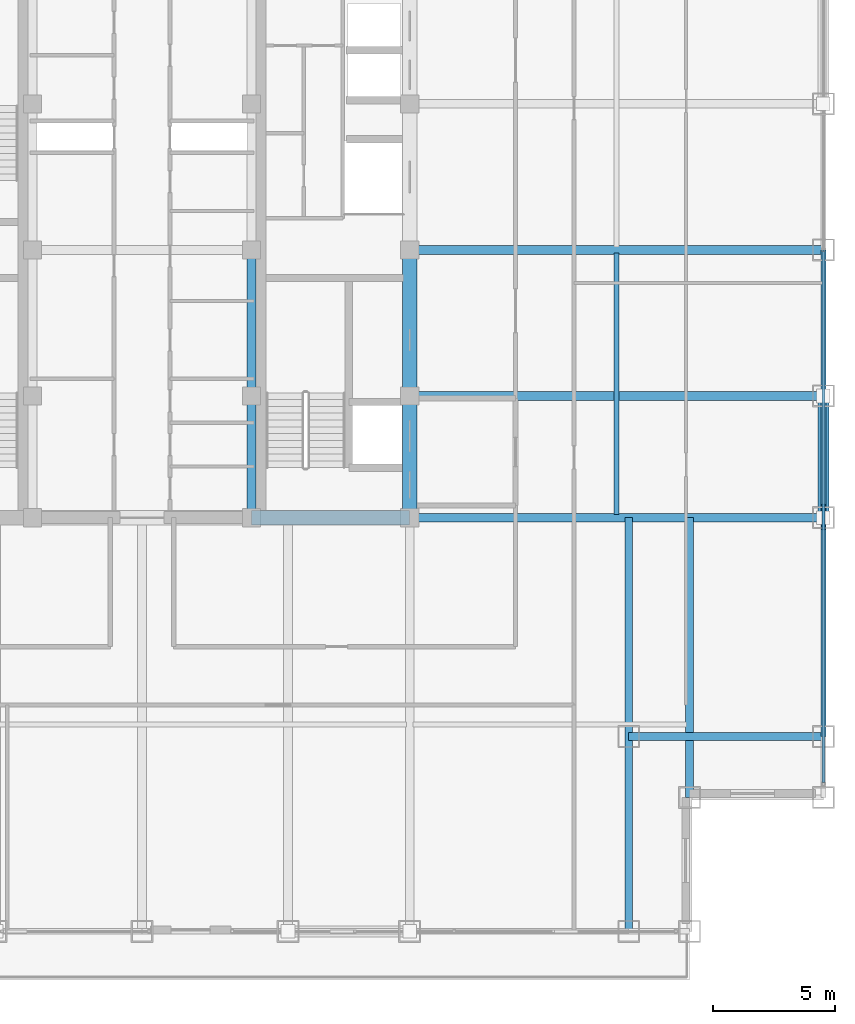
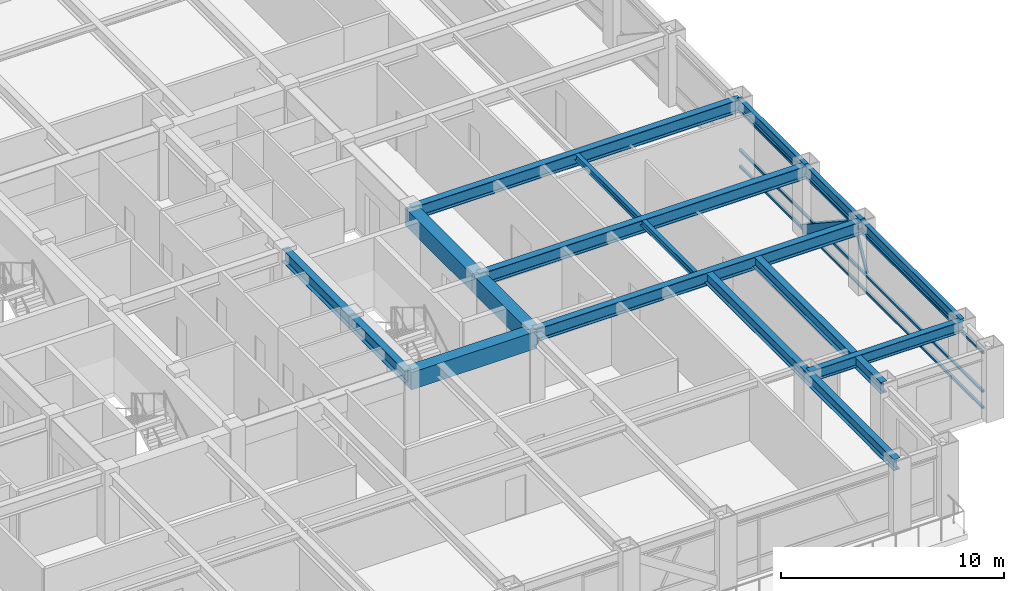
# One storey, part 12 of 32: 15 beams, 5 members, 1 element without a shape of its own.
"""IFC4 building model written with IfcOpenShell, lengths in metres."""

from ifc_helpers import new_model, si_unit, direction, frame, origin, origin_2d, place, context, subcontext, project, spatial, rectangle, hollow_rectangle, i_section, extrude, source, transform, mapped, material, material_profile, profile_set, type_object, element, aggregate, save


model = new_model("IFC4")

# Units and contexts
model_context = context("Model", 3, precision=1e-05, world=origin(), true_north=direction((0.0, 1.0)))
body_context = subcontext(model_context, "Body", "Model", "MODEL_VIEW")
ifc_project = project(units=[si_unit("LENGTHUNIT", "METRE"), si_unit("AREAUNIT", "SQUARE_METRE"), si_unit("VOLUMEUNIT", "CUBIC_METRE"), si_unit("PLANEANGLEUNIT", "RADIAN"), si_unit("MASSUNIT", "GRAM", prefix="KILO")], contexts=[model_context])

# Site, building, storey
site_placement = place(None, origin())
site = spatial("IfcSite", under=ifc_project, at=site_placement, CompositionType="ELEMENT")
building_placement = place(site_placement, origin())
building = spatial("IfcBuilding", under=site, at=building_placement, Name="Khorayat Bourse Tower", CompositionType="ELEMENT")
storey_placement = place(building_placement, frame((0.0, 0.0, 273.5)))
storey = spatial("IfcBuildingStorey", under=building, at=storey_placement, Name="L64", CompositionType="ELEMENT", Elevation=273.5)

# Beams
ifc_material_1 = material(Name="Steel ASTM A992 Grade 50", Category="steel")
ifc_material_profile_1 = material_profile(ifc_material_1, i_section(OverallWidth=0.35498046875, OverallDepth=0.695068359375, WebThickness=0.015380859375, FlangeThickness=0.02490234375, FilletRadius=0.01806640625, at=origin_2d()), Name="W690X217")
ifc_profile_set_1 = profile_set([ifc_material_profile_1], Name="Steel ASTM A992 Grade 50")
beam_type_1 = type_object("IfcBeamType", Name="BM-GIRD-690", PredefinedType="BEAM", material=ifc_profile_set_1)
shared_shape_1 = source(origin(), body_context, "Body", "SweptSolid", [
    extrude(i_section(OverallWidth=0.35498046875, OverallDepth=0.695068359375, WebThickness=0.015380859375, FlangeThickness=0.02490234375, FilletRadius=0.01806640625, at=origin_2d()), origin(), (0.0, 0.0, 1.0), 5.0),
])
beam_1_placement = place(storey_placement, frame((4.5, -11.0, 3.4326171875), z_axis=(0.0, 1.0, 0.0), x_axis=(-1.0, 0.0, 0.0)))
element("IfcBeam", 1, at=beam_1_placement, inside=storey, type_object=beam_type_1, Name="L64 BM-GIRD-690 BM-L64-CRX-09", PredefinedType="BEAM", context=body_context, shape_type="MappedRepresentation", body=[
    mapped(shared_shape_1, transform((0.0, 0.0, 0.0), scale=1.0)),
])
shared_shape_2 = source(origin(), body_context, "Body", "SweptSolid", [
    extrude(i_section(OverallWidth=0.35498046875, OverallDepth=0.695068359375, WebThickness=0.015380859375, FlangeThickness=0.02490234375, FilletRadius=0.01806640625, at=origin_2d()), origin(), (0.0, 0.0, 1.0), 6.0),
])
beam_2_placement = place(storey_placement, frame((4.5, -6.0, 3.4326171875), z_axis=(0.0, 1.0, 0.0), x_axis=(-1.0, 0.0, 0.0)))
element("IfcBeam", 2, at=beam_2_placement, inside=storey, type_object=beam_type_1, Name="L64 BM-GIRD-690 BM-L64-CRX-10", PredefinedType="BEAM", context=body_context, shape_type="MappedRepresentation", body=[
    mapped(shared_shape_2, transform((0.0, 0.0, 0.0), scale=1.0)),
])
ifc_material_profile_2 = material_profile(ifc_material_1, i_section(OverallWidth=0.324951171875, OverallDepth=0.615966796875, WebThickness=0.013916015625, FlangeThickness=0.021484375, FilletRadius=0.01611328125, at=origin_2d()), Name="W610X174")
ifc_profile_set_2 = profile_set([ifc_material_profile_2], Name="Steel ASTM A992 Grade 50")
beam_type_2 = type_object("IfcBeamType", Name="BM-GIRD-610", PredefinedType="BEAM", material=ifc_profile_set_2)
shared_shape_3 = source(origin(), body_context, "Body", "SweptSolid", [
    extrude(i_section(OverallWidth=0.324951171875, OverallDepth=0.615966796875, WebThickness=0.013916015625, FlangeThickness=0.021484375, FilletRadius=0.01611328125, at=origin_2d()), origin(), (0.0, 0.0, 1.0), 17.0),
])
beam_3_placement = place(storey_placement, frame((20.0, -28.0, 3.471923828125), z_axis=(0.0, 1.0, 0.0), x_axis=(-1.0, 0.0, 0.0)))
element("IfcBeam", 3, at=beam_3_placement, inside=storey, type_object=beam_type_2, Name="L64 BM-GIRD-610 BM-L64-CNRY-086", PredefinedType="BEAM", context=body_context, shape_type="MappedRepresentation", body=[
    mapped(shared_shape_3, transform((0.0, 0.0, 0.0), scale=1.0)),
])
ifc_material_2 = material(Name="Concrete C60/75", Category="concrete")
ifc_material_profile_3 = material_profile(ifc_material_2, rectangle(XDim=0.60009765625, YDim=0.949951171875, at=origin_2d()), Name="RC 600x950")
ifc_profile_set_3 = profile_set([ifc_material_profile_3], Name="Concrete C60/75")
beam_type_3 = type_object("IfcBeamType", Name="BM-COUP-950", PredefinedType="BEAM", material=ifc_profile_set_3)
shared_shape_4 = source(origin(), body_context, "Body", "SweptSolid", [
    extrude(rectangle(XDim=0.60009765625, YDim=0.949951171875, at=origin_2d()), origin(), (0.0, 0.0, 1.0), 5.0),
])
beam_4_placement = place(storey_placement, frame((11.0, -11.0, 3.304931640625), z_axis=(0.0, 1.0, 0.0), x_axis=(-1.0, 0.0, 0.0)))
element("IfcBeam", 4, at=beam_4_placement, inside=storey, type_object=beam_type_3, Name="L64 BM-COUP-950 BM-L64-CRX-13", PredefinedType="BEAM", context=body_context, shape_type="MappedRepresentation", body=[
    mapped(shared_shape_4, transform((0.0, 0.0, 0.0), scale=1.0)),
])
shared_shape_5 = source(origin(), body_context, "Body", "SweptSolid", [
    extrude(rectangle(XDim=0.60009765625, YDim=0.949951171875, at=origin_2d()), origin(), (0.0, 0.0, 1.0), 6.0),
])
beam_5_placement = place(storey_placement, frame((11.0, -6.0, 3.304931640625), z_axis=(0.0, 1.0, 0.0), x_axis=(-1.0, 0.0, 0.0)))
element("IfcBeam", 5, at=beam_5_placement, inside=storey, type_object=beam_type_3, Name="L64 BM-COUP-950 BM-L64-CRX-14", PredefinedType="BEAM", context=body_context, shape_type="MappedRepresentation", body=[
    mapped(shared_shape_5, transform((0.0, 0.0, 0.0), scale=1.0)),
])
shared_shape_6 = source(origin(), body_context, "Body", "SweptSolid", [
    extrude(rectangle(XDim=0.60009765625, YDim=0.949951171875, at=origin_2d()), origin(), (0.0, 0.0, 1.0), 6.5),
])
beam_6_placement = place(storey_placement, frame((4.5, -11.0, 3.304931640625), z_axis=(1.0, 0.0, 0.0), x_axis=(0.0, 1.0, 0.0)))
element("IfcBeam", 6, at=beam_6_placement, inside=storey, type_object=beam_type_3, Name="L64 BM-COUP-950 BM-L64-CRY-19", PredefinedType="BEAM", context=body_context, shape_type="MappedRepresentation", body=[
    mapped(shared_shape_6, transform((0.0, 0.0, 0.0), scale=1.0)),
])

# Member
ifc_material_3 = material(Name="Steel EN 10025-4 S460M", Category="steel")
ifc_material_profile_4 = material_profile(ifc_material_3, hollow_rectangle(XDim=0.449951171875, YDim=0.449951171875, WallThickness=0.02490234375, at=origin_2d()), Name="HSS 450x450x25")
ifc_profile_set_4 = profile_set([ifc_material_profile_4], Name="Steel EN 10025-4 S460M")
member_type_1 = type_object("IfcMemberType", Name="MBR-TUBE-450", PredefinedType="BRACE", material=ifc_profile_set_4)
shared_shape_7 = source(origin(), body_context, "Body", "SweptSolid", [
    extrude(hollow_rectangle(XDim=0.449951171875, YDim=0.449951171875, WallThickness=0.02490234375, at=origin_2d()), origin(), (0.0, 0.0, 1.0), 5.979736328125),
])
member_1_placement = place(storey_placement, frame((28.0, -11.0, 3.530029296875), z_axis=(0.0, 0.836141536525, -0.548513747227), x_axis=(-1.0, 0.0, 0.0)))
element("IfcMember", 7, at=member_1_placement, inside=storey, type_object=member_type_1, Name="L64 Perimeter Tube Brace 07", PredefinedType="BRACE", context=body_context, shape_type="MappedRepresentation", body=[
    mapped(shared_shape_7, transform((0.0, 0.0, 0.0), scale=1.0)),
])

# Beams
shared_shape_8 = source(origin(), body_context, "Body", "SweptSolid", [
    extrude(i_section(OverallWidth=0.35498046875, OverallDepth=0.695068359375, WebThickness=0.015380859375, FlangeThickness=0.02490234375, FilletRadius=0.01806640625, at=origin_2d()), origin(), (0.0, 0.0, 1.0), 17.0),
])
for number, where, z_axis, x_axis, name in (
    (8, (11.0, -11.0, 3.4326171875), (1.0, 0.0, 0.0), (0.0, 1.0, 0.0), "L64 BM-GIRD-690 BM-L64-RADX-074"),
    (9, (11.0, -6.0, 3.4326171875), (1.0, 0.0, 0.0), (0.0, 1.0, 0.0), "L64 BM-GIRD-690 BM-L64-RADX-076"),
    (10, (11.0, 0.0, 3.4326171875), (1.0, 0.0, 0.0), (0.0, 1.0, 0.0), "L64 BM-GIRD-690 BM-L64-RADX-078"),
):
    element("IfcBeam", number, at=place(storey_placement, frame(where, z_axis=z_axis, x_axis=x_axis)), inside=storey, type_object=beam_type_1, Name=name, PredefinedType="BEAM", context=body_context, shape_type="MappedRepresentation", body=[
        mapped(shared_shape_8, transform((0.0, 0.0, 0.0), scale=1.0)),
    ])
shared_shape_9 = source(origin(), body_context, "Body", "SweptSolid", [
    extrude(i_section(OverallWidth=0.324951171875, OverallDepth=0.615966796875, WebThickness=0.013916015625, FlangeThickness=0.021484375, FilletRadius=0.01611328125, at=origin_2d()), origin(), (0.0, 0.0, 1.0), 11.5),
])
beam_7_placement = place(storey_placement, frame((22.5, -22.5, 3.471923828125), z_axis=(0.0, 1.0, 0.0), x_axis=(-1.0, 0.0, 0.0)))
element("IfcBeam", 11, at=beam_7_placement, inside=storey, type_object=beam_type_2, Name="L64 BM-GIRD-610 BM-L64-CNRY-090", PredefinedType="BEAM", context=body_context, shape_type="MappedRepresentation", body=[
    mapped(shared_shape_9, transform((0.0, 0.0, 0.0), scale=1.0)),
])
shared_shape_10 = source(origin(), body_context, "Body", "SweptSolid", [
    extrude(i_section(OverallWidth=0.324951171875, OverallDepth=0.615966796875, WebThickness=0.013916015625, FlangeThickness=0.021484375, FilletRadius=0.01611328125, at=origin_2d()), origin(), (0.0, 0.0, 1.0), 8.0),
])
beam_8_placement = place(storey_placement, frame((20.0, -20.0, 3.471923828125), z_axis=(1.0, 0.0, 0.0), x_axis=(0.0, 1.0, 0.0)))
element("IfcBeam", 12, at=beam_8_placement, inside=storey, type_object=beam_type_2, Name="L64 BM-GIRD-610 BM-L64-CNRX-092", PredefinedType="BEAM", context=body_context, shape_type="MappedRepresentation", body=[
    mapped(shared_shape_10, transform((0.0, 0.0, 0.0), scale=1.0)),
])
ifc_material_profile_5 = material_profile(ifc_material_1, i_section(OverallWidth=0.202880859375, OverallDepth=0.346923828125, WebThickness=0.0078125, FlangeThickness=0.013427734375, FilletRadius=0.010009765625, at=origin_2d()), Name="W360X64")
ifc_profile_set_5 = profile_set([ifc_material_profile_5], Name="Steel ASTM A992 Grade 50")
beam_type_4 = type_object("IfcBeamType", Name="BM-JOIST-360", PredefinedType="JOIST", material=ifc_profile_set_5)
shared_shape_11 = source(origin(), body_context, "Body", "SweptSolid", [
    extrude(i_section(OverallWidth=0.202880859375, OverallDepth=0.346923828125, WebThickness=0.0078125, FlangeThickness=0.013427734375, FilletRadius=0.010009765625, at=origin_2d()), origin(), (0.0, 0.0, 1.0), 10.740234375),
])
beam_9_placement = place(storey_placement, frame((19.5, -10.8701171875, 3.6064453125), z_axis=(0.0, 1.0, 0.0), x_axis=(-1.0, 0.0, 0.0)))
element("IfcBeam", 13, at=beam_9_placement, inside=storey, type_object=beam_type_4, Name="L64 BM-JOIST-360 BM-L64-JSTY-104", PredefinedType="JOIST", context=body_context, shape_type="MappedRepresentation", body=[
    mapped(shared_shape_11, transform((0.0, 0.0, 0.0), scale=1.0)),
])
ifc_material_profile_6 = material_profile(ifc_material_1, i_section(OverallWidth=0.214111328125, OverallDepth=0.549072265625, WebThickness=0.0146484375, FlangeThickness=0.023681640625, FilletRadius=0.013916015625, at=origin_2d()), Name="W530X138")
ifc_profile_set_6 = profile_set([ifc_material_profile_6], Name="Steel ASTM A992 Grade 50")
beam_type_5 = type_object("IfcBeamType", Name="BM-SPAN-530", PredefinedType="SPANDREL", material=ifc_profile_set_6)
shared_shape_12 = source(origin(), body_context, "Body", "SweptSolid", [
    extrude(i_section(OverallWidth=0.214111328125, OverallDepth=0.549072265625, WebThickness=0.0146484375, FlangeThickness=0.023681640625, FilletRadius=0.013916015625, at=origin_2d()), origin(), (0.0, 0.0, 1.0), 9.0),
])
beam_10_placement = place(storey_placement, frame((28.0, -20.0, 3.505615234375), z_axis=(0.0, 1.0, 0.0), x_axis=(-1.0, 0.0, 0.0)))
element("IfcBeam", 14, at=beam_10_placement, inside=storey, type_object=beam_type_5, Name="L64 BM-SPAN-530 BM-L64-SPN-035", PredefinedType="SPANDREL", context=body_context, shape_type="MappedRepresentation", body=[
    mapped(shared_shape_12, transform((0.0, 0.0, 0.0), scale=1.0)),
])
shared_shape_13 = source(origin(), body_context, "Body", "SweptSolid", [
    extrude(i_section(OverallWidth=0.214111328125, OverallDepth=0.549072265625, WebThickness=0.0146484375, FlangeThickness=0.023681640625, FilletRadius=0.013916015625, at=origin_2d()), origin(), (0.0, 0.0, 1.0), 5.0),
])
beam_11_placement = place(storey_placement, frame((28.0, -11.0, 3.505615234375), z_axis=(0.0, 1.0, 0.0), x_axis=(-1.0, 0.0, 0.0)))
element("IfcBeam", 15, at=beam_11_placement, inside=storey, type_object=beam_type_5, Name="L64 BM-SPAN-530 BM-L64-SPN-036", PredefinedType="SPANDREL", context=body_context, shape_type="MappedRepresentation", body=[
    mapped(shared_shape_13, transform((0.0, 0.0, 0.0), scale=1.0)),
])
shared_shape_14 = source(origin(), body_context, "Body", "SweptSolid", [
    extrude(i_section(OverallWidth=0.214111328125, OverallDepth=0.549072265625, WebThickness=0.0146484375, FlangeThickness=0.023681640625, FilletRadius=0.013916015625, at=origin_2d()), origin(), (0.0, 0.0, 1.0), 6.0),
])
beam_12_placement = place(storey_placement, frame((28.0, -6.0, 3.505615234375), z_axis=(0.0, 1.0, 0.0), x_axis=(-1.0, 0.0, 0.0)))
element("IfcBeam", 16, at=beam_12_placement, inside=storey, type_object=beam_type_5, Name="L64 BM-SPAN-530 BM-L64-SPN-037", PredefinedType="SPANDREL", context=body_context, shape_type="MappedRepresentation", body=[
    mapped(shared_shape_14, transform((0.0, 0.0, 0.0), scale=1.0)),
])

# Curtain wall, members
ifc_material_4 = material(Name="Aluminium EN AW-6063 T6", Category="aluminium")
curtain_wall_type = type_object("IfcCurtainWallType", Name="CW-SYS-04", PredefinedType="NOTDEFINED", material=ifc_material_4)
curtain_wall_placement = place(storey_placement, origin())
curtain_wall = element("IfcCurtainWall", 17, at=curtain_wall_placement, inside=storey, type_object=curtain_wall_type, Name="L64 Curtain Wall CW-L64-E1", PredefinedType="NOTDEFINED")
ifc_material_profile_7 = material_profile(ifc_material_4, hollow_rectangle(XDim=0.1201171875, YDim=0.1201171875, WallThickness=0.0048828125, at=origin_2d()), Name="ALU 120x120x5")
ifc_profile_set_7 = profile_set([ifc_material_profile_7], Name="Aluminium EN AW-6063 T6")
member_type_2 = type_object("IfcMemberType", Name="CWM-DIAG-120", PredefinedType="MULLION", material=ifc_profile_set_7)
shared_shape_15 = source(origin(), body_context, "Body", "SweptSolid", [
    extrude(hollow_rectangle(XDim=0.1201171875, YDim=0.1201171875, WallThickness=0.0048828125, at=origin_2d()), origin(), (0.0, 0.0, 1.0), 2.0791015625),
])
member_2_placement = place(storey_placement, frame((28.0, -11.4541015625, 1.090087890625), z_axis=(0.0, 0.465717394116, 0.884933505309), x_axis=(-1.0, 0.0, 0.0)))
member_2 = element("IfcMember", 18, at=member_2_placement, type_object=member_type_2, Name="CW-L64-E1 Faceted Diagonal Mullion 1", PredefinedType="MULLION", context=body_context, shape_type="MappedRepresentation", body=[
    mapped(shared_shape_15, transform((0.0, 0.0, 0.0), scale=1.0)),
])
ifc_material_profile_8 = material_profile(ifc_material_4, hollow_rectangle(XDim=0.1201171875, YDim=0.1201171875, WallThickness=0.0048828125, at=origin_2d()), Name="ALU 120x120x5")
ifc_profile_set_8 = profile_set([ifc_material_profile_8], Name="Aluminium EN AW-6063 T6")
member_type_3 = type_object("IfcMemberType", Name="CWT-HORZ-120", PredefinedType="USERDEFINED", material=ifc_profile_set_8)
shared_shape_16 = source(origin(), body_context, "Body", "SweptSolid", [
    extrude(hollow_rectangle(XDim=0.1201171875, YDim=0.1201171875, WallThickness=0.0048828125, at=origin_2d()), origin(), (0.0, 0.0, 1.0), 21.81982421875),
])
member_3_placement = place(storey_placement, frame((28.0, -21.8798828125, 0.06005859375), z_axis=(0.0, 1.0, 0.0), x_axis=(-1.0, 0.0, 0.0)))
member_3 = element("IfcMember", 19, at=member_3_placement, type_object=member_type_3, Name="CW-L64-E1 Horizontal Transom 1-1", ObjectType="TRANSOM", PredefinedType="USERDEFINED", context=body_context, shape_type="MappedRepresentation", body=[
    mapped(shared_shape_16, transform((0.0, 0.0, 0.0), scale=1.0)),
])
member_4_placement = place(storey_placement, frame((28.0, -21.8798828125, 0.949951171875), z_axis=(0.0, 1.0, 0.0), x_axis=(-1.0, 0.0, 0.0)))
member_4 = element("IfcMember", 20, at=member_4_placement, type_object=member_type_3, Name="CW-L64-E1 Horizontal Transom 1-2", ObjectType="TRANSOM", PredefinedType="USERDEFINED", context=body_context, shape_type="MappedRepresentation", body=[
    mapped(shared_shape_16, transform((0.0, 0.0, 0.0), scale=1.0)),
])
member_5_placement = place(storey_placement, frame((28.0, -21.8798828125, 3.070068359375), z_axis=(0.0, 1.0, 0.0), x_axis=(-1.0, 0.0, 0.0)))
member_5 = element("IfcMember", 21, at=member_5_placement, type_object=member_type_3, Name="CW-L64-E1 Horizontal Transom 1-3", ObjectType="TRANSOM", PredefinedType="USERDEFINED", context=body_context, shape_type="MappedRepresentation", body=[
    mapped(shared_shape_16, transform((0.0, 0.0, 0.0), scale=1.0)),
])
aggregate(curtain_wall, [member_3, member_4, member_5, member_2])

save(model, "model.ifc")
